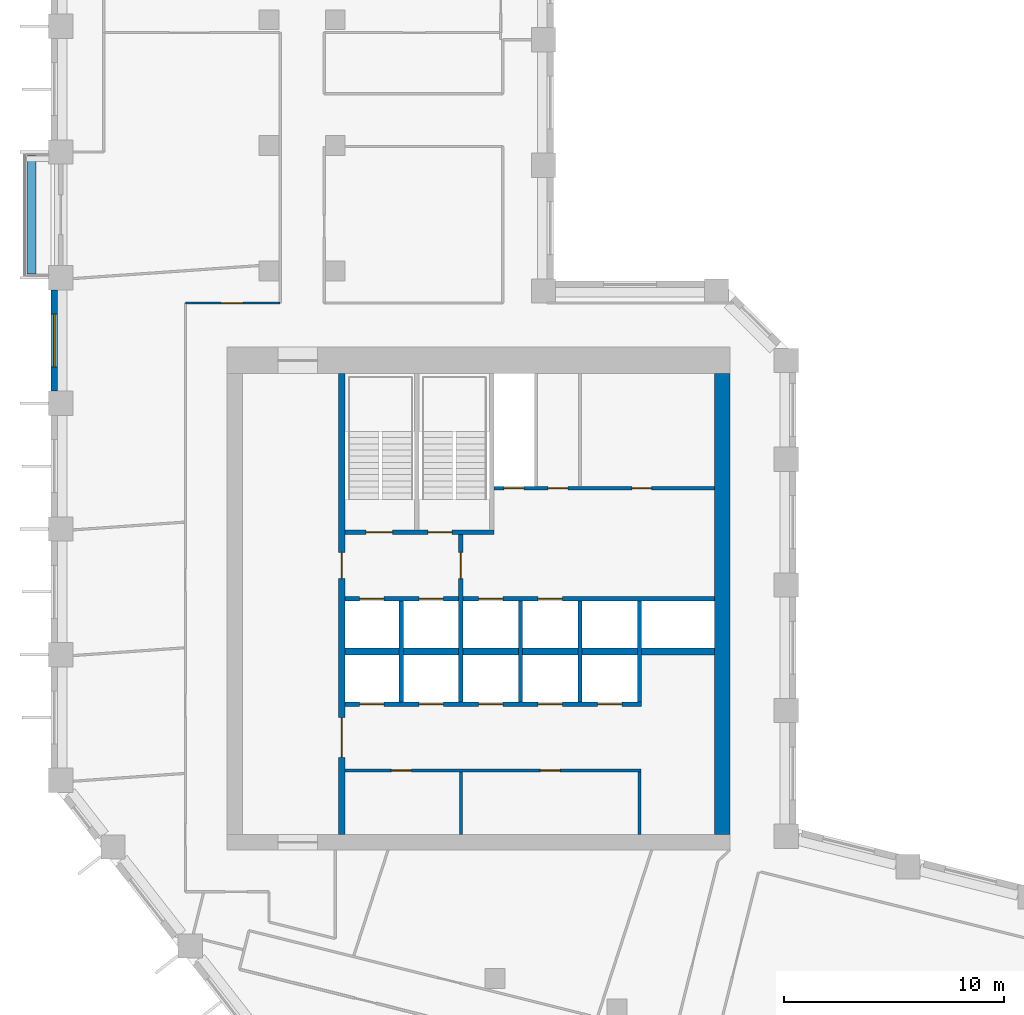
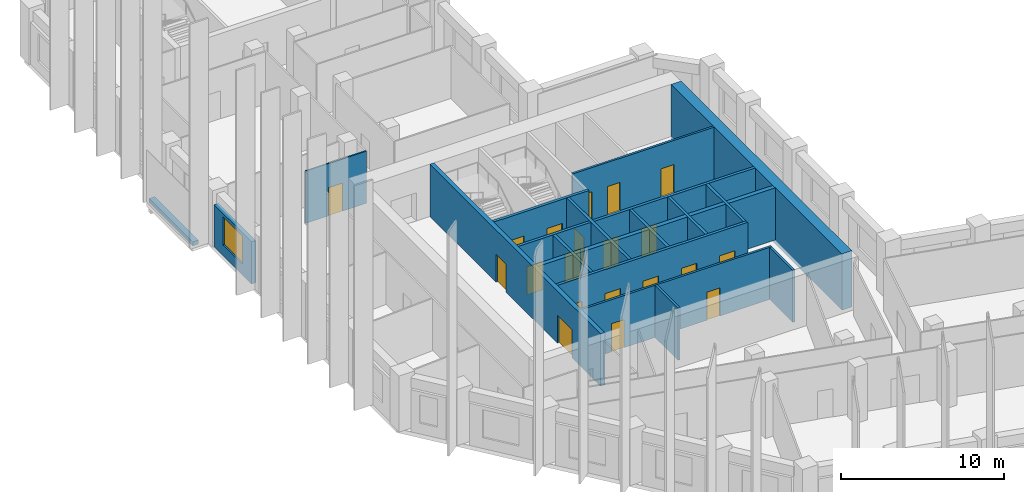
# One storey, part 5 of 10: 20 doors, 18 walls, 1 window, 21 openings.
"""IFC4 building model written with IfcOpenShell, lengths in metres."""

from ifc_helpers import new_model, si_unit, direction, frame, frame_2d, origin, place, context, subcontext, project, spatial, rectangle, extrude, material, layer, layer_set, type_object, element, fill, save


model = new_model("IFC4")

# Units and contexts
model_context = context("Model", 3, precision=1e-05, world=origin(), true_north=direction((0.0, 1.0)))
body_context = subcontext(model_context, "Body", "Model", "MODEL_VIEW")
ifc_project = project(units=[si_unit("LENGTHUNIT", "METRE"), si_unit("AREAUNIT", "SQUARE_METRE"), si_unit("VOLUMEUNIT", "CUBIC_METRE"), si_unit("PLANEANGLEUNIT", "RADIAN"), si_unit("MASSUNIT", "GRAM", prefix="KILO")], contexts=[model_context])

# Site, building, storey
site_placement = place(None, origin())
site = spatial("IfcSite", under=ifc_project, at=site_placement, CompositionType="ELEMENT")
building_placement = place(site_placement, origin())
building = spatial("IfcBuilding", under=site, at=building_placement, Name="Meshkara Civic Tower", CompositionType="ELEMENT")
storey_placement = place(building_placement, frame((0.0, 0.0, 242.39990234375)))
storey = spatial("IfcBuildingStorey", under=building, at=storey_placement, Name="L55", CompositionType="ELEMENT", Elevation=242.39990234375)

# Wall, openings, doors
ifc_material_1 = material(Name="Blockwork", Category="masonry")
ifc_layer_1 = layer(ifc_material_1, 0.14990234375)
ifc_layer_set_1 = layer_set([ifc_layer_1], Name="Core partition 150")
wall_type_1 = type_object("IfcWallType", Name="Core partition 150", PredefinedType="PARTITIONING", material=ifc_layer_set_1)
wall_1_placement = place(storey_placement, frame((13.35009765625, 17.699951171875, 0.0), z_axis=(0.0, 0.0, 1.0), x_axis=(1.0, 0.0, 0.0)))
wall_1 = element("IfcWall", 1, at=wall_1_placement, inside=storey, type_object=wall_type_1, Name="L55-C005", PredefinedType="PARTITIONING", context=body_context, shape_type="SweptSolid", body=[
    extrude(rectangle(XDim=13.4248046875, YDim=0.14990234375, at=frame_2d((6.71240234375, 0.0))), origin(), (0.0, 0.0, 1.0), 3.900146484375),
])
opening_1_placement = place(wall_1_placement, frame((2.10009765625, 0.0, 0.0)))
opening_1 = element("IfcOpeningElement", 2, at=opening_1_placement, cuts=wall_1, Name="Opening L55-K010", PredefinedType="OPENING", context=body_context, shape_type="SweptSolid", body=[
    extrude(rectangle(XDim=0.89990234375, YDim=2.10009765625, at=frame_2d((0.449951171875, 1.050048828125))), frame((0.0, 0.0849609375, 0.0), z_axis=(0.0, -1.0, 0.0), x_axis=(1.0, 0.0, 0.0)), (0.0, 0.0, 1.0), 0.169921875),
])
opening_2_placement = place(wall_1_placement, frame((8.85009765625, 0.0, 0.0)))
opening_2 = element("IfcOpeningElement", 3, at=opening_2_placement, cuts=wall_1, Name="Opening L55-K011", PredefinedType="OPENING", context=body_context, shape_type="SweptSolid", body=[
    extrude(rectangle(XDim=0.89990234375, YDim=2.10009765625, at=frame_2d((0.449951171875, 1.050048828125))), frame((0.0, 0.0849609375, 0.0), z_axis=(0.0, -1.0, 0.0), x_axis=(1.0, 0.0, 0.0)), (0.0, 0.0, 1.0), 0.169921875),
])
ifc_material_2 = material(Name="Timber door leaf in steel frame", Category="steel")
door_type_1 = type_object("IfcDoorType", Name="Core room door 900", OperationType="SINGLE_SWING_LEFT", PredefinedType="DOOR", material=ifc_material_2)
door_1_placement = place(opening_1_placement, origin())
door_1 = element("IfcDoor", 4, at=door_1_placement, inside=storey, type_object=door_type_1, Name="L55-K010", OperationType="SINGLE_SWING_LEFT", OverallHeight=2.10009765625, OverallWidth=0.89990234375, PredefinedType="DOOR", context=body_context, shape_type="SweptSolid", body=[
    extrude(rectangle(XDim=0.89990234375, YDim=2.10009765625, at=frame_2d((0.449951171875, 1.050048828125))), frame((0.0, 0.02490234375, 0.0), z_axis=(0.0, -1.0, 0.0), x_axis=(1.0, 0.0, 0.0)), (0.0, 0.0, 1.0), 0.050048828125),
])
fill(opening_1, door_1)
door_2_placement = place(opening_2_placement, origin())
door_2 = element("IfcDoor", 5, at=door_2_placement, inside=storey, type_object=door_type_1, Name="L55-K011", OperationType="SINGLE_SWING_LEFT", OverallHeight=2.10009765625, OverallWidth=0.89990234375, PredefinedType="DOOR", context=body_context, shape_type="SweptSolid", body=[
    extrude(rectangle(XDim=0.89990234375, YDim=2.10009765625, at=frame_2d((0.449951171875, 1.050048828125))), frame((0.0, 0.02490234375, 0.0), z_axis=(0.0, -1.0, 0.0), x_axis=(1.0, 0.0, 0.0)), (0.0, 0.0, 1.0), 0.050048828125),
])
fill(opening_2, door_2)

wall_2_placement = place(storey_placement, frame((20.10009765625, 30.5, 0.0), z_axis=(0.0, 0.0, 1.0), x_axis=(1.0, 0.0, 0.0)))
wall_2 = element("IfcWall", 6, at=wall_2_placement, inside=storey, type_object=wall_type_1, Name="L55-C010", PredefinedType="PARTITIONING", context=body_context, shape_type="SweptSolid", body=[
    extrude(rectangle(XDim=10.0, YDim=0.14990234375, at=frame_2d((5.0, 0.0))), origin(), (0.0, 0.0, 1.0), 3.900146484375),
])
opening_3_placement = place(wall_2_placement, frame((0.449951171875, 0.0, 0.0)))
opening_3 = element("IfcOpeningElement", 7, at=opening_3_placement, cuts=wall_2, Name="Opening L55-K012", PredefinedType="OPENING", context=body_context, shape_type="SweptSolid", body=[
    extrude(rectangle(XDim=0.89990234375, YDim=2.10009765625, at=frame_2d((0.449951171875, 1.050048828125))), frame((0.0, 0.0849609375, 0.0), z_axis=(0.0, -1.0, 0.0), x_axis=(1.0, 0.0, 0.0)), (0.0, 0.0, 1.0), 0.169921875),
])
opening_4_placement = place(wall_2_placement, frame((2.449951171875, 0.0, 0.0)))
opening_4 = element("IfcOpeningElement", 8, at=opening_4_placement, cuts=wall_2, Name="Opening L55-K013", PredefinedType="OPENING", context=body_context, shape_type="SweptSolid", body=[
    extrude(rectangle(XDim=0.89990234375, YDim=2.10009765625, at=frame_2d((0.449951171875, 1.050048828125))), frame((0.0, 0.0849609375, 0.0), z_axis=(0.0, -1.0, 0.0), x_axis=(1.0, 0.0, 0.0)), (0.0, 0.0, 1.0), 0.169921875),
])
opening_5_placement = place(wall_2_placement, frame((6.25, 0.0, 0.0)))
opening_5 = element("IfcOpeningElement", 9, at=opening_5_placement, cuts=wall_2, Name="Opening L55-K014", PredefinedType="OPENING", context=body_context, shape_type="SweptSolid", body=[
    extrude(rectangle(XDim=0.89990234375, YDim=2.10009765625, at=frame_2d((0.449951171875, 1.050048828125))), frame((0.0, 0.0849609375, 0.0), z_axis=(0.0, -1.0, 0.0), x_axis=(1.0, 0.0, 0.0)), (0.0, 0.0, 1.0), 0.169921875),
])
door_3_placement = place(opening_5_placement, origin())
door_3 = element("IfcDoor", 10, at=door_3_placement, inside=storey, type_object=door_type_1, Name="L55-K014", OperationType="SINGLE_SWING_RIGHT", OverallHeight=2.10009765625, OverallWidth=0.89990234375, PredefinedType="DOOR", context=body_context, shape_type="SweptSolid", body=[
    extrude(rectangle(XDim=0.89990234375, YDim=2.10009765625, at=frame_2d((0.449951171875, 1.050048828125))), frame((0.0, 0.02490234375, 0.0), z_axis=(0.0, -1.0, 0.0), x_axis=(1.0, 0.0, 0.0)), (0.0, 0.0, 1.0), 0.050048828125),
])
fill(opening_5, door_3)
ifc_material_3 = material(Name="Fire-rated door leaf in steel frame", Category="steel")
door_type_2 = type_object("IfcDoorType", Name="Riser door 900", OperationType="SINGLE_SWING_LEFT", PredefinedType="DOOR", material=ifc_material_3)
door_4_placement = place(opening_3_placement, origin())
door_4 = element("IfcDoor", 11, at=door_4_placement, inside=storey, type_object=door_type_2, Name="L55-K012", OperationType="SINGLE_SWING_RIGHT", OverallHeight=2.10009765625, OverallWidth=0.89990234375, PredefinedType="DOOR", context=body_context, shape_type="SweptSolid", body=[
    extrude(rectangle(XDim=0.89990234375, YDim=2.10009765625, at=frame_2d((0.449951171875, 1.050048828125))), frame((0.0, 0.02490234375, 0.0), z_axis=(0.0, -1.0, 0.0), x_axis=(1.0, 0.0, 0.0)), (0.0, 0.0, 1.0), 0.050048828125),
])
fill(opening_3, door_4)
ifc_material_4 = material(Name="Timber door leaf in steel frame", Category="steel")
door_type_3 = type_object("IfcDoorType", Name="WC door 900", OperationType="SINGLE_SWING_LEFT", PredefinedType="DOOR", material=ifc_material_4)
door_5_placement = place(opening_4_placement, origin())
door_5 = element("IfcDoor", 12, at=door_5_placement, inside=storey, type_object=door_type_3, Name="L55-K013", OperationType="SINGLE_SWING_LEFT", OverallHeight=2.10009765625, OverallWidth=0.89990234375, PredefinedType="DOOR", context=body_context, shape_type="SweptSolid", body=[
    extrude(rectangle(XDim=0.89990234375, YDim=2.10009765625, at=frame_2d((0.449951171875, 1.050048828125))), frame((0.0, 0.02490234375, 0.0), z_axis=(0.0, -1.0, 0.0), x_axis=(1.0, 0.0, 0.0)), (0.0, 0.0, 1.0), 0.050048828125),
])
fill(opening_4, door_5)

# Walls
for number, where, z_axis, x_axis, name in (
    (13, (18.60009765625, 14.800048828125, 0.0), (0.0, 0.0, 1.0), (0.0, 1.0, 0.0), "L55-C014"),
    (14, (26.699951171875, 14.800048828125, 0.0), (0.0, 0.0, 1.0), (0.0, 1.0, 0.0), "L55-C021"),
):
    element("IfcWall", number, at=place(storey_placement, frame(where, z_axis=z_axis, x_axis=x_axis)), inside=storey, type_object=wall_type_1, Name=name, PredefinedType="PARTITIONING", context=body_context, shape_type="SweptSolid", body=[
        extrude(rectangle(XDim=2.824951171875, YDim=0.14990234375, at=frame_2d((1.41259765625, 0.0))), origin(), (0.0, 0.0, 1.0), 3.900146484375),
    ])
ifc_material_5 = material(Name="Concrete C60", Category="concrete")
ifc_layer_2 = layer(ifc_material_5, 0.699951171875)
ifc_layer_set_2 = layer_set([ifc_layer_2], Name="Core ring wall 700 C60")
wall_type_2 = type_object("IfcWallType", Name="Core ring wall 700 C60", PredefinedType="SHEAR", material=ifc_layer_set_2)
wall_3_placement = place(storey_placement, frame((30.449951171875, 14.800048828125, -0.2998046875), z_axis=(0.0, 0.0, 1.0), x_axis=(0.0, 1.0, 0.0)))
element("IfcWall", 15, at=wall_3_placement, inside=storey, type_object=wall_type_2, Name="L55-C004", PredefinedType="SHEAR", context=body_context, shape_type="SweptSolid", body=[
    extrude(rectangle(XDim=20.89990234375, YDim=0.699951171875, at=frame_2d((10.449951171875, 0.0))), origin(), (0.0, 0.0, 1.0), 4.199951171875),
])
ifc_material_6 = material(Name="Concrete C60", Category="concrete")
ifc_layer_3 = layer(ifc_material_6, 0.300048828125)
ifc_layer_set_3 = layer_set([ifc_layer_3], Name="Core shear wall 300 C60")
wall_type_3 = type_object("IfcWallType", Name="Core shear wall 300 C60", PredefinedType="SHEAR", material=ifc_layer_set_3)
wall_4_placement = place(storey_placement, frame((13.35009765625, 23.10009765625, 0.0), z_axis=(0.0, 0.0, 1.0), x_axis=(1.0, 0.0, 0.0)))
element("IfcWall", 16, at=wall_4_placement, inside=storey, type_object=wall_type_3, Name="L55-C007", PredefinedType="SHEAR", context=body_context, shape_type="SweptSolid", body=[
    extrude(rectangle(XDim=16.75, YDim=0.300048828125, at=frame_2d((8.375, 0.0))), origin(), (0.0, 0.0, 1.0), 3.900146484375),
])

# Wall, openings, doors
wall_5_placement = place(storey_placement, frame((13.199951171875, 14.800048828125, 0.0), z_axis=(0.0, 0.0, 1.0), x_axis=(0.0, 1.0, 0.0)))
wall_5 = element("IfcWall", 17, at=wall_5_placement, inside=storey, type_object=wall_type_3, Name="L55-C011", PredefinedType="SHEAR", context=body_context, shape_type="SweptSolid", body=[
    extrude(rectangle(XDim=20.89990234375, YDim=0.300048828125, at=frame_2d((10.449951171875, 0.0))), origin(), (0.0, 0.0, 1.0), 3.900146484375),
])
opening_6_placement = place(wall_5_placement, frame((3.5, 0.0, 0.0)))
opening_6 = element("IfcOpeningElement", 18, at=opening_6_placement, cuts=wall_5, Name="Opening L55-K017", PredefinedType="OPENING", context=body_context, shape_type="SweptSolid", body=[
    extrude(rectangle(XDim=1.800048828125, YDim=2.10009765625, at=frame_2d((0.89990234375, 1.050048828125))), frame((0.0, 0.159912109375, 0.0), z_axis=(0.0, -1.0, 0.0), x_axis=(1.0, 0.0, 0.0)), (0.0, 0.0, 1.0), 0.320068359375),
])
opening_7_placement = place(wall_5_placement, frame((11.60009765625, 0.0, 0.0)))
opening_7 = element("IfcOpeningElement", 19, at=opening_7_placement, cuts=wall_5, Name="Opening L55-K018", PredefinedType="OPENING", context=body_context, shape_type="SweptSolid", body=[
    extrude(rectangle(XDim=1.199951171875, YDim=2.10009765625, at=frame_2d((0.60009765625, 1.050048828125))), frame((0.0, 0.159912109375, 0.0), z_axis=(0.0, -1.0, 0.0), x_axis=(1.0, 0.0, 0.0)), (0.0, 0.0, 1.0), 0.320068359375),
])
ifc_material_7 = material(Name="Fire-rated door leaf in steel frame", Category="steel")
door_type_4 = type_object("IfcDoorType", Name="Core double door 1800 EI 60", OperationType="DOUBLE_DOOR_SINGLE_SWING", PredefinedType="DOOR", material=ifc_material_7)
door_6_placement = place(opening_6_placement, origin())
door_6 = element("IfcDoor", 20, at=door_6_placement, inside=storey, type_object=door_type_4, Name="L55-K017", OperationType="DOUBLE_DOOR_SINGLE_SWING", OverallHeight=2.10009765625, OverallWidth=1.800048828125, PredefinedType="DOOR", context=body_context, shape_type="SweptSolid", body=[
    extrude(rectangle(XDim=1.800048828125, YDim=2.10009765625, at=frame_2d((0.89990234375, 1.050048828125))), frame((0.0, 0.02490234375, 0.0), z_axis=(0.0, -1.0, 0.0), x_axis=(1.0, 0.0, 0.0)), (0.0, 0.0, 1.0), 0.050048828125),
])
fill(opening_6, door_6)
ifc_material_8 = material(Name="Fire-rated door leaf in steel frame", Category="steel")
door_type_5 = type_object("IfcDoorType", Name="Fire-fighting lobby door 1200 EI 120", OperationType="SINGLE_SWING_LEFT", PredefinedType="DOOR", material=ifc_material_8)
door_7_placement = place(opening_7_placement, origin())
door_7 = element("IfcDoor", 21, at=door_7_placement, inside=storey, type_object=door_type_5, Name="L55-K018", OperationType="SINGLE_SWING_LEFT", OverallHeight=2.10009765625, OverallWidth=1.199951171875, PredefinedType="DOOR", context=body_context, shape_type="SweptSolid", body=[
    extrude(rectangle(XDim=1.199951171875, YDim=2.10009765625, at=frame_2d((0.60009765625, 1.050048828125))), frame((0.0, 0.02490234375, 0.0), z_axis=(0.0, -1.0, 0.0), x_axis=(1.0, 0.0, 0.0)), (0.0, 0.0, 1.0), 0.050048828125),
])
fill(opening_7, door_7)

# Wall, opening, door
ifc_material_9 = material(Name="Corridor wall 100")
ifc_layer_4 = layer(ifc_material_9, 0.10009765625)
ifc_layer_set_4 = layer_set([ifc_layer_4], Name="Corridor wall 100")
wall_type_4 = type_object("IfcWallType", Name="Corridor wall 100", PredefinedType="PARTITIONING", material=ifc_layer_set_4)
wall_6_placement = place(storey_placement, frame((10.39990234375, 38.89990234375, 0.0), z_axis=(0.0, 0.0, 1.0), x_axis=(-1.0, 0.0, 0.0)))
wall_6 = element("IfcWall", 22, at=wall_6_placement, inside=storey, type_object=wall_type_4, Name="L55-W011", PredefinedType="PARTITIONING", context=body_context, shape_type="SweptSolid", body=[
    extrude(rectangle(XDim=4.2998046875, YDim=0.10009765625, at=frame_2d((2.14990234375, 0.0))), origin(), (0.0, 0.0, 1.0), 3.900146484375),
])
opening_8_placement = place(wall_6_placement, frame((1.679931640625, 0.0, 0.0)))
opening_8 = element("IfcOpeningElement", 23, at=opening_8_placement, cuts=wall_6, Name="Opening L55-D017", PredefinedType="OPENING", context=body_context, shape_type="SweptSolid", body=[
    extrude(rectangle(XDim=1.0, YDim=2.10009765625, at=frame_2d((0.5, 1.050048828125))), frame((0.0, 0.06005859375, 0.0), z_axis=(0.0, -1.0, 0.0), x_axis=(1.0, 0.0, 0.0)), (0.0, 0.0, 1.0), 0.1201171875),
])
ifc_material_10 = material(Name="Door 1000 x 2100")
door_type_6 = type_object("IfcDoorType", Name="Door 1000 x 2100", OperationType="SINGLE_SWING_LEFT", PredefinedType="DOOR", material=ifc_material_10)
door_8_placement = place(opening_8_placement, origin())
door_8 = element("IfcDoor", 24, at=door_8_placement, inside=storey, type_object=door_type_6, Name="L55-D017", OperationType="SINGLE_SWING_LEFT", OverallHeight=2.10009765625, OverallWidth=1.0, PredefinedType="DOOR", context=body_context, shape_type="SweptSolid", body=[
    extrude(rectangle(XDim=1.0, YDim=2.10009765625, at=frame_2d((0.5, 1.050048828125))), frame((0.0, 0.02490234375, 0.0), z_axis=(0.0, -1.0, 0.0), x_axis=(1.0, 0.0, 0.0)), (0.0, 0.0, 1.0), 0.050048828125),
])
fill(opening_8, door_8)

# Wall, opening, window
ifc_material_11 = material(Name="Insulated infill panel with bronze anodised aluminium cladding", Category="aluminium")
ifc_layer_5 = layer(ifc_material_11, 0.300048828125)
ifc_layer_set_5 = layer_set([ifc_layer_5], Name="EXTERNAL INFILL WALL 300")
wall_type_5 = type_object("IfcWallType", Name="EXTERNAL INFILL WALL 300", PredefinedType="SOLIDWALL", material=ifc_layer_set_5)
wall_7_placement = place(storey_placement, frame((0.14990234375, 39.5048828125, 0.0), z_axis=(0.0, 0.0, 1.0), x_axis=(0.0, -1.0, 0.0)))
wall_7 = element("IfcWall", 25, at=wall_7_placement, inside=storey, type_object=wall_type_5, Name="External wall", PredefinedType="SOLIDWALL", context=body_context, shape_type="SweptSolid", body=[
    extrude(rectangle(XDim=4.599853515625, YDim=0.300048828125, at=frame_2d((2.2998046875, 0.0))), origin(), (0.0, 0.0, 1.0), 3.150146484375),
])
opening_9_placement = place(wall_7_placement, frame((1.10009765625, 0.0, 0.800048828125)))
opening_9 = element("IfcOpeningElement", 26, at=opening_9_placement, cuts=wall_7, Name="Opening W7", PredefinedType="OPENING", context=body_context, shape_type="SweptSolid", body=[
    extrude(rectangle(XDim=2.39990234375, YDim=2.10009765625, at=frame_2d((1.199951171875, 1.050048828125))), frame((0.0, 0.159912109375, 0.0), z_axis=(0.0, -1.0, 0.0), x_axis=(1.0, 0.0, 0.0)), (0.0, 0.0, 1.0), 0.320068359375),
])
ifc_material_12 = material(Name="Tinted double glazing", Category="glass")
window_type = type_object("IfcWindowType", Name="WINDOW 2400x2100", PartitioningType="DOUBLE_PANEL_VERTICAL", PredefinedType="WINDOW", material=ifc_material_12)
window_placement = place(opening_9_placement, origin())
window = element("IfcWindow", 27, at=window_placement, inside=storey, type_object=window_type, Name="Window", OverallHeight=2.10009765625, OverallWidth=2.39990234375, PartitioningType="DOUBLE_PANEL_VERTICAL", PredefinedType="WINDOW", context=body_context, shape_type="SweptSolid", body=[
    extrude(rectangle(XDim=2.39990234375, YDim=2.10009765625, at=frame_2d((1.199951171875, 1.050048828125))), frame((0.0, 0.030029296875, 0.0), z_axis=(0.0, -1.0, 0.0), x_axis=(1.0, 0.0, 0.0)), (0.0, 0.0, 1.0), 0.06005859375),
])
fill(opening_9, window)

# Wall
ifc_material_13 = material(Name="Concrete C40", Category="concrete")
ifc_layer_6 = layer(ifc_material_13, 0.39990234375)
ifc_layer_set_6 = layer_set([ifc_layer_6], Name="PLANTER TRAY")
wall_type_6 = type_object("IfcWallType", Name="PLANTER TRAY", PredefinedType="SOLIDWALL", material=ifc_layer_set_6)
wall_8_placement = place(storey_placement, frame((-0.8798828125, 45.5849609375, 0.0), z_axis=(0.0, 0.0, 1.0), x_axis=(0.0, -1.0, 0.0)))
element("IfcWall", 28, at=wall_8_placement, inside=storey, type_object=wall_type_6, Name="Planter", PredefinedType="SOLIDWALL", context=body_context, shape_type="SweptSolid", body=[
    extrude(rectangle(XDim=5.35986328125, YDim=0.39990234375, at=frame_2d((2.679931640625, 0.0))), origin(), (0.0, 0.0, 1.0), 0.300048828125),
])

# Wall, openings, doors
ifc_material_14 = material(Name="Concrete C40/50", Category="concrete")
ifc_layer_7 = layer(ifc_material_14, 0.199951171875)
ifc_layer_set_7 = layer_set([ifc_layer_7], Name="Shaft wall 200 C40/50")
wall_type_7 = type_object("IfcWallType", Name="Shaft wall 200 C40/50", PredefinedType="SOLIDWALL", material=ifc_layer_set_7)
wall_9_placement = place(storey_placement, frame((13.35009765625, 20.699951171875, 0.0), z_axis=(0.0, 0.0, 1.0), x_axis=(1.0, 0.0, 0.0)))
wall_9 = element("IfcWall", 29, at=wall_9_placement, inside=storey, type_object=wall_type_7, Name="L55-C006", PredefinedType="SOLIDWALL", context=body_context, shape_type="SweptSolid", body=[
    extrude(rectangle(XDim=13.449951171875, YDim=0.199951171875, at=frame_2d((6.72509765625, 0.0))), origin(), (0.0, 0.0, 1.0), 3.900146484375),
])
opening_10_placement = place(wall_9_placement, frame((0.64990234375, 0.0, 0.0)))
opening_10 = element("IfcOpeningElement", 30, at=opening_10_placement, cuts=wall_9, Name="Opening L55-K001", PredefinedType="OPENING", context=body_context, shape_type="SweptSolid", body=[
    extrude(rectangle(XDim=1.10009765625, YDim=2.10009765625, at=frame_2d((0.550048828125, 1.050048828125))), frame((0.0, 0.10986328125, 0.0), z_axis=(0.0, -1.0, 0.0), x_axis=(1.0, 0.0, 0.0)), (0.0, 0.0, 1.0), 0.219970703125),
])
opening_11_placement = place(wall_9_placement, frame((3.35009765625, 0.0, 0.0)))
opening_11 = element("IfcOpeningElement", 31, at=opening_11_placement, cuts=wall_9, Name="Opening L55-K002", PredefinedType="OPENING", context=body_context, shape_type="SweptSolid", body=[
    extrude(rectangle(XDim=1.10009765625, YDim=2.10009765625, at=frame_2d((0.550048828125, 1.050048828125))), frame((0.0, 0.10986328125, 0.0), z_axis=(0.0, -1.0, 0.0), x_axis=(1.0, 0.0, 0.0)), (0.0, 0.0, 1.0), 0.219970703125),
])
opening_12_placement = place(wall_9_placement, frame((6.050048828125, 0.0, 0.0)))
opening_12 = element("IfcOpeningElement", 32, at=opening_12_placement, cuts=wall_9, Name="Opening L55-K003", PredefinedType="OPENING", context=body_context, shape_type="SweptSolid", body=[
    extrude(rectangle(XDim=1.10009765625, YDim=2.10009765625, at=frame_2d((0.550048828125, 1.050048828125))), frame((0.0, 0.10986328125, 0.0), z_axis=(0.0, -1.0, 0.0), x_axis=(1.0, 0.0, 0.0)), (0.0, 0.0, 1.0), 0.219970703125),
])
opening_13_placement = place(wall_9_placement, frame((8.75, 0.0, 0.0)))
opening_13 = element("IfcOpeningElement", 33, at=opening_13_placement, cuts=wall_9, Name="Opening L55-K004", PredefinedType="OPENING", context=body_context, shape_type="SweptSolid", body=[
    extrude(rectangle(XDim=1.10009765625, YDim=2.10009765625, at=frame_2d((0.550048828125, 1.050048828125))), frame((0.0, 0.10986328125, 0.0), z_axis=(0.0, -1.0, 0.0), x_axis=(1.0, 0.0, 0.0)), (0.0, 0.0, 1.0), 0.219970703125),
])
opening_14_placement = place(wall_9_placement, frame((11.449951171875, 0.0, 0.0)))
opening_14 = element("IfcOpeningElement", 34, at=opening_14_placement, cuts=wall_9, Name="Opening L55-K005", PredefinedType="OPENING", context=body_context, shape_type="SweptSolid", body=[
    extrude(rectangle(XDim=1.10009765625, YDim=2.10009765625, at=frame_2d((0.550048828125, 1.050048828125))), frame((0.0, 0.10986328125, 0.0), z_axis=(0.0, -1.0, 0.0), x_axis=(1.0, 0.0, 0.0)), (0.0, 0.0, 1.0), 0.219970703125),
])
ifc_material_15 = material(Name="Stainless steel landing door", Category="steel")
door_type_7 = type_object("IfcDoorType", Name="Lift landing door 1100", OperationType="SLIDING_TO_LEFT", PredefinedType="DOOR", material=ifc_material_15)
door_9_placement = place(opening_10_placement, origin())
door_9 = element("IfcDoor", 35, at=door_9_placement, inside=storey, type_object=door_type_7, Name="L55-K001", OperationType="SLIDING_TO_LEFT", OverallHeight=2.10009765625, OverallWidth=1.10009765625, PredefinedType="DOOR", context=body_context, shape_type="SweptSolid", body=[
    extrude(rectangle(XDim=1.10009765625, YDim=2.10009765625, at=frame_2d((0.550048828125, 1.050048828125))), frame((0.0, 0.02490234375, 0.0), z_axis=(0.0, -1.0, 0.0), x_axis=(1.0, 0.0, 0.0)), (0.0, 0.0, 1.0), 0.050048828125),
])
fill(opening_10, door_9)
door_10_placement = place(opening_11_placement, origin())
door_10 = element("IfcDoor", 36, at=door_10_placement, inside=storey, type_object=door_type_7, Name="L55-K002", OperationType="SLIDING_TO_LEFT", OverallHeight=2.10009765625, OverallWidth=1.10009765625, PredefinedType="DOOR", context=body_context, shape_type="SweptSolid", body=[
    extrude(rectangle(XDim=1.10009765625, YDim=2.10009765625, at=frame_2d((0.550048828125, 1.050048828125))), frame((0.0, 0.02490234375, 0.0), z_axis=(0.0, -1.0, 0.0), x_axis=(1.0, 0.0, 0.0)), (0.0, 0.0, 1.0), 0.050048828125),
])
fill(opening_11, door_10)
door_11_placement = place(opening_12_placement, origin())
door_11 = element("IfcDoor", 37, at=door_11_placement, inside=storey, type_object=door_type_7, Name="L55-K003", OperationType="SLIDING_TO_LEFT", OverallHeight=2.10009765625, OverallWidth=1.10009765625, PredefinedType="DOOR", context=body_context, shape_type="SweptSolid", body=[
    extrude(rectangle(XDim=1.10009765625, YDim=2.10009765625, at=frame_2d((0.550048828125, 1.050048828125))), frame((0.0, 0.02490234375, 0.0), z_axis=(0.0, -1.0, 0.0), x_axis=(1.0, 0.0, 0.0)), (0.0, 0.0, 1.0), 0.050048828125),
])
fill(opening_12, door_11)
door_12_placement = place(opening_13_placement, origin())
door_12 = element("IfcDoor", 38, at=door_12_placement, inside=storey, type_object=door_type_7, Name="L55-K004", OperationType="SLIDING_TO_LEFT", OverallHeight=2.10009765625, OverallWidth=1.10009765625, PredefinedType="DOOR", context=body_context, shape_type="SweptSolid", body=[
    extrude(rectangle(XDim=1.10009765625, YDim=2.10009765625, at=frame_2d((0.550048828125, 1.050048828125))), frame((0.0, 0.02490234375, 0.0), z_axis=(0.0, -1.0, 0.0), x_axis=(1.0, 0.0, 0.0)), (0.0, 0.0, 1.0), 0.050048828125),
])
fill(opening_13, door_12)
door_13_placement = place(opening_14_placement, origin())
door_13 = element("IfcDoor", 39, at=door_13_placement, inside=storey, type_object=door_type_7, Name="L55-K005", OperationType="SLIDING_TO_LEFT", OverallHeight=2.10009765625, OverallWidth=1.10009765625, PredefinedType="DOOR", context=body_context, shape_type="SweptSolid", body=[
    extrude(rectangle(XDim=1.10009765625, YDim=2.10009765625, at=frame_2d((0.550048828125, 1.050048828125))), frame((0.0, 0.02490234375, 0.0), z_axis=(0.0, -1.0, 0.0), x_axis=(1.0, 0.0, 0.0)), (0.0, 0.0, 1.0), 0.050048828125),
])
fill(opening_14, door_13)

wall_10_placement = place(storey_placement, frame((13.35009765625, 25.5, 0.0), z_axis=(0.0, 0.0, 1.0), x_axis=(1.0, 0.0, 0.0)))
wall_10 = element("IfcWall", 40, at=wall_10_placement, inside=storey, type_object=wall_type_7, Name="L55-C008", PredefinedType="SOLIDWALL", context=body_context, shape_type="SweptSolid", body=[
    extrude(rectangle(XDim=16.75, YDim=0.199951171875, at=frame_2d((8.375, 0.0))), origin(), (0.0, 0.0, 1.0), 3.900146484375),
])
opening_15_placement = place(wall_10_placement, frame((0.64990234375, 0.0, 0.0)))
opening_15 = element("IfcOpeningElement", 41, at=opening_15_placement, cuts=wall_10, Name="Opening L55-K006", PredefinedType="OPENING", context=body_context, shape_type="SweptSolid", body=[
    extrude(rectangle(XDim=1.10009765625, YDim=2.10009765625, at=frame_2d((0.550048828125, 1.050048828125))), frame((0.0, 0.10986328125, 0.0), z_axis=(0.0, -1.0, 0.0), x_axis=(1.0, 0.0, 0.0)), (0.0, 0.0, 1.0), 0.219970703125),
])
opening_16_placement = place(wall_10_placement, frame((3.35009765625, 0.0, 0.0)))
opening_16 = element("IfcOpeningElement", 42, at=opening_16_placement, cuts=wall_10, Name="Opening L55-K007", PredefinedType="OPENING", context=body_context, shape_type="SweptSolid", body=[
    extrude(rectangle(XDim=1.10009765625, YDim=2.10009765625, at=frame_2d((0.550048828125, 1.050048828125))), frame((0.0, 0.10986328125, 0.0), z_axis=(0.0, -1.0, 0.0), x_axis=(1.0, 0.0, 0.0)), (0.0, 0.0, 1.0), 0.219970703125),
])
opening_17_placement = place(wall_10_placement, frame((6.050048828125, 0.0, 0.0)))
opening_17 = element("IfcOpeningElement", 43, at=opening_17_placement, cuts=wall_10, Name="Opening L55-K008", PredefinedType="OPENING", context=body_context, shape_type="SweptSolid", body=[
    extrude(rectangle(XDim=1.10009765625, YDim=2.10009765625, at=frame_2d((0.550048828125, 1.050048828125))), frame((0.0, 0.10986328125, 0.0), z_axis=(0.0, -1.0, 0.0), x_axis=(1.0, 0.0, 0.0)), (0.0, 0.0, 1.0), 0.219970703125),
])
opening_18_placement = place(wall_10_placement, frame((8.75, 0.0, 0.0)))
opening_18 = element("IfcOpeningElement", 44, at=opening_18_placement, cuts=wall_10, Name="Opening L55-K009", PredefinedType="OPENING", context=body_context, shape_type="SweptSolid", body=[
    extrude(rectangle(XDim=1.10009765625, YDim=2.10009765625, at=frame_2d((0.550048828125, 1.050048828125))), frame((0.0, 0.10986328125, 0.0), z_axis=(0.0, -1.0, 0.0), x_axis=(1.0, 0.0, 0.0)), (0.0, 0.0, 1.0), 0.219970703125),
])
door_14_placement = place(opening_15_placement, origin())
door_14 = element("IfcDoor", 45, at=door_14_placement, inside=storey, type_object=door_type_7, Name="L55-K006", OperationType="SLIDING_TO_LEFT", OverallHeight=2.10009765625, OverallWidth=1.10009765625, PredefinedType="DOOR", context=body_context, shape_type="SweptSolid", body=[
    extrude(rectangle(XDim=1.10009765625, YDim=2.10009765625, at=frame_2d((0.550048828125, 1.050048828125))), frame((0.0, 0.02490234375, 0.0), z_axis=(0.0, -1.0, 0.0), x_axis=(1.0, 0.0, 0.0)), (0.0, 0.0, 1.0), 0.050048828125),
])
fill(opening_15, door_14)
door_15_placement = place(opening_16_placement, origin())
door_15 = element("IfcDoor", 46, at=door_15_placement, inside=storey, type_object=door_type_7, Name="L55-K007", OperationType="SLIDING_TO_LEFT", OverallHeight=2.10009765625, OverallWidth=1.10009765625, PredefinedType="DOOR", context=body_context, shape_type="SweptSolid", body=[
    extrude(rectangle(XDim=1.10009765625, YDim=2.10009765625, at=frame_2d((0.550048828125, 1.050048828125))), frame((0.0, 0.02490234375, 0.0), z_axis=(0.0, -1.0, 0.0), x_axis=(1.0, 0.0, 0.0)), (0.0, 0.0, 1.0), 0.050048828125),
])
fill(opening_16, door_15)
door_16_placement = place(opening_17_placement, origin())
door_16 = element("IfcDoor", 47, at=door_16_placement, inside=storey, type_object=door_type_7, Name="L55-K008", OperationType="SLIDING_TO_LEFT", OverallHeight=2.10009765625, OverallWidth=1.10009765625, PredefinedType="DOOR", context=body_context, shape_type="SweptSolid", body=[
    extrude(rectangle(XDim=1.10009765625, YDim=2.10009765625, at=frame_2d((0.550048828125, 1.050048828125))), frame((0.0, 0.02490234375, 0.0), z_axis=(0.0, -1.0, 0.0), x_axis=(1.0, 0.0, 0.0)), (0.0, 0.0, 1.0), 0.050048828125),
])
fill(opening_17, door_16)
door_17_placement = place(opening_18_placement, origin())
door_17 = element("IfcDoor", 48, at=door_17_placement, inside=storey, type_object=door_type_7, Name="L55-K009", OperationType="SLIDING_TO_LEFT", OverallHeight=2.10009765625, OverallWidth=1.10009765625, PredefinedType="DOOR", context=body_context, shape_type="SweptSolid", body=[
    extrude(rectangle(XDim=1.10009765625, YDim=2.10009765625, at=frame_2d((0.550048828125, 1.050048828125))), frame((0.0, 0.02490234375, 0.0), z_axis=(0.0, -1.0, 0.0), x_axis=(1.0, 0.0, 0.0)), (0.0, 0.0, 1.0), 0.050048828125),
])
fill(opening_18, door_17)

# Wall
wall_11_placement = place(storey_placement, frame((15.89990234375, 20.800048828125, 0.0), z_axis=(0.0, 0.0, 1.0), x_axis=(0.0, 1.0, 0.0)))
element("IfcWall", 49, at=wall_11_placement, inside=storey, type_object=wall_type_7, Name="L55-C012", PredefinedType="SOLIDWALL", context=body_context, shape_type="SweptSolid", body=[
    extrude(rectangle(XDim=4.599853515625, YDim=0.199951171875, at=frame_2d((2.2998046875, 0.0))), origin(), (0.0, 0.0, 1.0), 3.900146484375),
])

# Wall, opening, door
wall_12_placement = place(storey_placement, frame((18.60009765625, 20.800048828125, 0.0), z_axis=(0.0, 0.0, 1.0), x_axis=(0.0, 1.0, 0.0)))
wall_12 = element("IfcWall", 50, at=wall_12_placement, inside=storey, type_object=wall_type_7, Name="L55-C015", PredefinedType="SOLIDWALL", context=body_context, shape_type="SweptSolid", body=[
    extrude(rectangle(XDim=7.599853515625, YDim=0.199951171875, at=frame_2d((3.7998046875, 0.0))), origin(), (0.0, 0.0, 1.0), 3.900146484375),
])
opening_19_placement = place(wall_12_placement, frame((5.60009765625, 0.0, 0.0)))
opening_19 = element("IfcOpeningElement", 51, at=opening_19_placement, cuts=wall_12, Name="Opening L55-K019", PredefinedType="OPENING", context=body_context, shape_type="SweptSolid", body=[
    extrude(rectangle(XDim=1.199951171875, YDim=2.10009765625, at=frame_2d((0.60009765625, 1.050048828125))), frame((0.0, 0.10986328125, 0.0), z_axis=(0.0, -1.0, 0.0), x_axis=(1.0, 0.0, 0.0)), (0.0, 0.0, 1.0), 0.219970703125),
])
door_18_placement = place(opening_19_placement, origin())
door_18 = element("IfcDoor", 52, at=door_18_placement, inside=storey, type_object=door_type_5, Name="L55-K019", OperationType="SINGLE_SWING_RIGHT", OverallHeight=2.10009765625, OverallWidth=1.199951171875, PredefinedType="DOOR", context=body_context, shape_type="SweptSolid", body=[
    extrude(rectangle(XDim=1.199951171875, YDim=2.10009765625, at=frame_2d((0.60009765625, 1.050048828125))), frame((0.0, 0.02490234375, 0.0), z_axis=(0.0, -1.0, 0.0), x_axis=(1.0, 0.0, 0.0)), (0.0, 0.0, 1.0), 0.050048828125),
])
fill(opening_19, door_18)

# Walls
for number, where, z_axis, x_axis, name in (
    (53, (21.300048828125, 20.800048828125, 0.0), (0.0, 0.0, 1.0), (0.0, 1.0, 0.0), "L55-C017"),
    (54, (24.0, 20.800048828125, 0.0), (0.0, 0.0, 1.0), (0.0, 1.0, 0.0), "L55-C019"),
    (55, (26.699951171875, 20.800048828125, 0.0), (0.0, 0.0, 1.0), (0.0, 1.0, 0.0), "L55-C022"),
):
    element("IfcWall", number, at=place(storey_placement, frame(where, z_axis=z_axis, x_axis=x_axis)), inside=storey, type_object=wall_type_7, Name=name, PredefinedType="SOLIDWALL", context=body_context, shape_type="SweptSolid", body=[
        extrude(rectangle(XDim=4.599853515625, YDim=0.199951171875, at=frame_2d((2.2998046875, 0.0))), origin(), (0.0, 0.0, 1.0), 3.900146484375),
    ])

# Wall, openings, doors
ifc_material_16 = material(Name="Concrete C40/50", Category="concrete")
ifc_layer_8 = layer(ifc_material_16, 0.199951171875)
ifc_layer_set_8 = layer_set([ifc_layer_8], Name="Stair enclosure wall 200 C40/50")
wall_type_8 = type_object("IfcWallType", Name="Stair enclosure wall 200 C40/50", PredefinedType="SOLIDWALL", material=ifc_layer_set_8)
wall_13_placement = place(storey_placement, frame((13.35009765625, 28.5, 0.0), z_axis=(0.0, 0.0, 1.0), x_axis=(1.0, 0.0, 0.0)))
wall_13 = element("IfcWall", 56, at=wall_13_placement, inside=storey, type_object=wall_type_8, Name="L55-C009", PredefinedType="SOLIDWALL", context=body_context, shape_type="SweptSolid", body=[
    extrude(rectangle(XDim=6.75, YDim=0.199951171875, at=frame_2d((3.375, 0.0))), origin(), (0.0, 0.0, 1.0), 3.900146484375),
])
opening_20_placement = place(wall_13_placement, frame((0.949951171875, 0.0, 0.0)))
opening_20 = element("IfcOpeningElement", 57, at=opening_20_placement, cuts=wall_13, Name="Opening L55-K015", PredefinedType="OPENING", context=body_context, shape_type="SweptSolid", body=[
    extrude(rectangle(XDim=1.199951171875, YDim=2.10009765625, at=frame_2d((0.60009765625, 1.050048828125))), frame((0.0, 0.10986328125, 0.0), z_axis=(0.0, -1.0, 0.0), x_axis=(1.0, 0.0, 0.0)), (0.0, 0.0, 1.0), 0.219970703125),
])
opening_21_placement = place(wall_13_placement, frame((3.75, 0.0, 0.0)))
opening_21 = element("IfcOpeningElement", 58, at=opening_21_placement, cuts=wall_13, Name="Opening L55-K016", PredefinedType="OPENING", context=body_context, shape_type="SweptSolid", body=[
    extrude(rectangle(XDim=1.10009765625, YDim=2.10009765625, at=frame_2d((0.550048828125, 1.050048828125))), frame((0.0, 0.10986328125, 0.0), z_axis=(0.0, -1.0, 0.0), x_axis=(1.0, 0.0, 0.0)), (0.0, 0.0, 1.0), 0.219970703125),
])
ifc_material_17 = material(Name="Fire-rated door leaf in steel frame", Category="steel")
door_type_8 = type_object("IfcDoorType", Name="Stair door 1100 EI 120", OperationType="SINGLE_SWING_LEFT", PredefinedType="DOOR", material=ifc_material_17)
door_19_placement = place(opening_21_placement, origin())
door_19 = element("IfcDoor", 59, at=door_19_placement, inside=storey, type_object=door_type_8, Name="L55-K016", OperationType="SINGLE_SWING_LEFT", OverallHeight=2.10009765625, OverallWidth=1.10009765625, PredefinedType="DOOR", context=body_context, shape_type="SweptSolid", body=[
    extrude(rectangle(XDim=1.10009765625, YDim=2.10009765625, at=frame_2d((0.550048828125, 1.050048828125))), frame((0.0, 0.02490234375, 0.0), z_axis=(0.0, -1.0, 0.0), x_axis=(1.0, 0.0, 0.0)), (0.0, 0.0, 1.0), 0.050048828125),
])
fill(opening_21, door_19)
ifc_material_18 = material(Name="Fire-rated door leaf in steel frame", Category="steel")
door_type_9 = type_object("IfcDoorType", Name="Stair door 1200 EI 120", OperationType="SINGLE_SWING_LEFT", PredefinedType="DOOR", material=ifc_material_18)
door_20_placement = place(opening_20_placement, origin())
door_20 = element("IfcDoor", 60, at=door_20_placement, inside=storey, type_object=door_type_9, Name="L55-K015", OperationType="SINGLE_SWING_RIGHT", OverallHeight=2.10009765625, OverallWidth=1.199951171875, PredefinedType="DOOR", context=body_context, shape_type="SweptSolid", body=[
    extrude(rectangle(XDim=1.199951171875, YDim=2.10009765625, at=frame_2d((0.60009765625, 1.050048828125))), frame((0.0, 0.02490234375, 0.0), z_axis=(0.0, -1.0, 0.0), x_axis=(1.0, 0.0, 0.0)), (0.0, 0.0, 1.0), 0.050048828125),
])
fill(opening_20, door_20)

save(model, "model.ifc")
